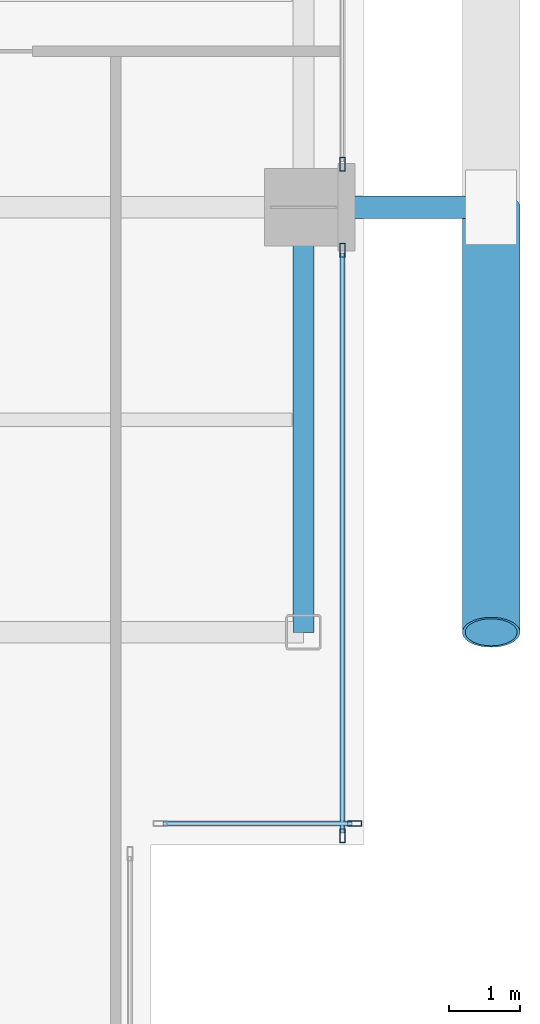
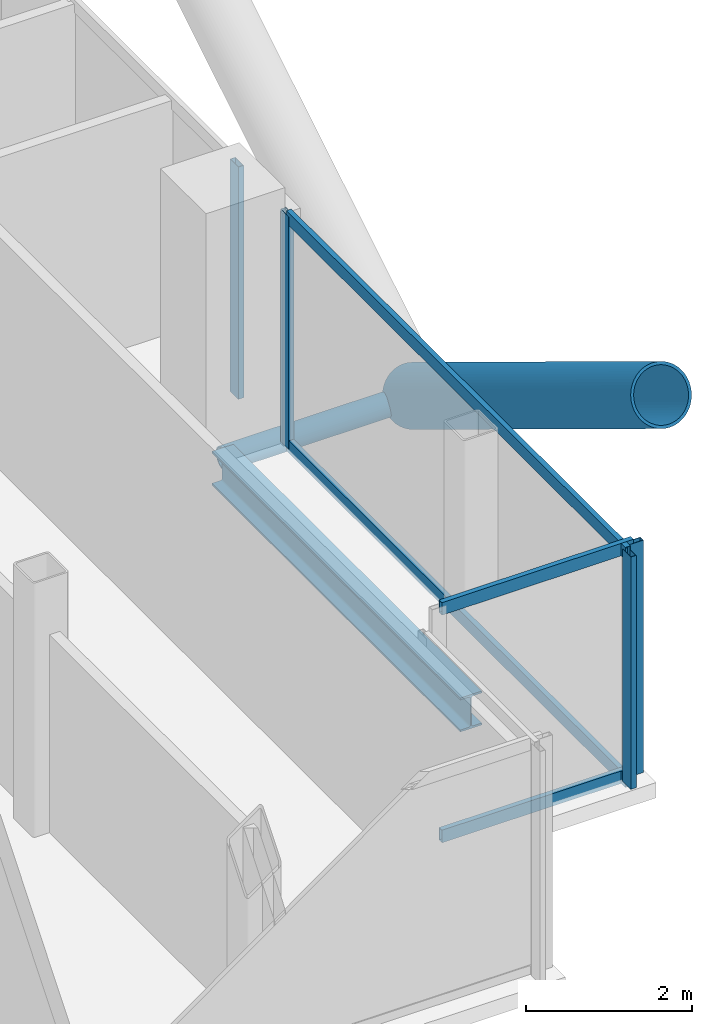
# One storey, part 11 of 24: 10 members, 1 beam, 3 elements without a shape of their own.
"""IFC4 building model written with IfcOpenShell, lengths in metres."""

from ifc_helpers import new_model, si_unit, direction, frame, origin, origin_2d, place, context, subcontext, project, spatial, hollow_rectangle, hollow_circle, i_section, extrude, material, layer, layer_set, material_profile, profile_set, type_object, element, aggregate, save


model = new_model("IFC4")

# Units and contexts
model_context = context("Model", 3, precision=1e-05, world=origin(), true_north=direction((0.0, 1.0)))
body_context = subcontext(model_context, "Body", "Model", "MODEL_VIEW")
ifc_project = project(units=[si_unit("LENGTHUNIT", "METRE"), si_unit("AREAUNIT", "SQUARE_METRE"), si_unit("VOLUMEUNIT", "CUBIC_METRE"), si_unit("PLANEANGLEUNIT", "RADIAN"), si_unit("MASSUNIT", "GRAM", prefix="KILO"), si_unit("THERMODYNAMICTEMPERATUREUNIT", "KELVIN"), si_unit("POWERUNIT", "WATT")], contexts=[model_context])

# Site, building, storey
site_placement = place(None, origin())
site = spatial("IfcSite", under=ifc_project, at=site_placement, CompositionType="ELEMENT")
building_placement = place(site_placement, origin())
building = spatial("IfcBuilding", under=site, at=building_placement, Name="Svarakhadi Broadcast Tower", CompositionType="ELEMENT")
storey_placement = place(building_placement, frame((0.0, 0.0, 160.64990234375)))
storey = spatial("IfcBuildingStorey", under=building, at=storey_placement, Name="L39", CompositionType="ELEMENT", Elevation=160.64990234375)

# Curtain wall, member
ifc_material_1 = material(Name="Anodised Bronze Aluminium AA 6063-T6", Category="aluminium")
ifc_layer = layer(ifc_material_1, 0.199951171875)
ifc_layer_set = layer_set([ifc_layer], Name="Anodised Bronze Aluminium AA 6063-T6")
curtain_wall_type = type_object("IfcCurtainWallType", Name="CW_Sys_03", PredefinedType="NOTDEFINED", material=ifc_layer_set)
curtain_wall_1_placement = place(storey_placement, origin())
curtain_wall_1 = element("IfcCurtainWall", 1, at=curtain_wall_1_placement, inside=storey, type_object=curtain_wall_type, Name="L39 Unitised Facade Curtain Wall 13 Bay 1", PredefinedType="NOTDEFINED")
ifc_material_profile_1 = material_profile(ifc_material_1, hollow_rectangle(XDim=0.074951171875, YDim=0.199951171875, WallThickness=0.005615234375, at=origin_2d()), Name="ALU MULLION 200x75x6")
ifc_profile_set_1 = profile_set([ifc_material_profile_1], Name="Anodised Bronze Aluminium AA 6063-T6")
member_type_1 = type_object("IfcMemberType", Name="CW_Sys_03_Mul", PredefinedType="MULLION", material=ifc_profile_set_1)
member_1_placement = place(storey_placement, frame((47.699951171875, 12.607421875, 0.0), z_axis=(0.0, 0.0, 1.0), x_axis=(1.0, 0.0, 0.0)))
member_1 = element("IfcMember", 2, at=member_1_placement, type_object=member_type_1, Name="CW-03 mullion 2", PredefinedType="MULLION", context=body_context, shape_type="SweptSolid", body=[
    extrude(hollow_rectangle(XDim=0.074951171875, YDim=0.199951171875, WallThickness=0.005615234375, at=origin_2d()), origin(), (0.0, 0.0, 1.0), 3.425048828125),
])
aggregate(curtain_wall_1, [member_1])

# Curtain wall, members
curtain_wall_2_placement = place(storey_placement, origin())
curtain_wall_2 = element("IfcCurtainWall", 3, at=curtain_wall_2_placement, inside=storey, type_object=curtain_wall_type, Name="L39 Unitised Facade Curtain Wall 13 Bay 2", PredefinedType="NOTDEFINED")
member_2_placement = place(storey_placement, frame((47.699951171875, 11.392578125, 0.0), z_axis=(0.0, 0.0, 1.0), x_axis=(1.0, 0.0, 0.0)))
member_2 = element("IfcMember", 4, at=member_2_placement, type_object=member_type_1, Name="CW-03 mullion 1", PredefinedType="MULLION", context=body_context, shape_type="SweptSolid", body=[
    extrude(hollow_rectangle(XDim=0.074951171875, YDim=0.199951171875, WallThickness=0.005615234375, at=origin_2d()), origin(), (0.0, 0.0, 1.0), 3.425048828125),
])
member_3_placement = place(storey_placement, frame((47.699951171875, 3.12744140625, 0.0), z_axis=(0.0, 0.0, 1.0), x_axis=(1.0, 0.0, 0.0)))
member_3 = element("IfcMember", 5, at=member_3_placement, type_object=member_type_1, Name="CW-03 mullion 2", PredefinedType="MULLION", context=body_context, shape_type="SweptSolid", body=[
    extrude(hollow_rectangle(XDim=0.074951171875, YDim=0.199951171875, WallThickness=0.005615234375, at=origin_2d()), origin(), (0.0, 0.0, 1.0), 3.425048828125),
])

# Curtain wall, member
curtain_wall_3_placement = place(storey_placement, origin())
curtain_wall_3 = element("IfcCurtainWall", 6, at=curtain_wall_3_placement, inside=storey, type_object=curtain_wall_type, Name="L39 Unitised Facade Curtain Wall 14", PredefinedType="NOTDEFINED")
member_4_placement = place(storey_placement, frame((47.87255859375, 3.300048828125, 0.0), z_axis=(0.0, 0.0, 1.0), x_axis=(0.0, -1.0, 0.0)))
member_4 = element("IfcMember", 7, at=member_4_placement, type_object=member_type_1, Name="CW-03 mullion 1", PredefinedType="MULLION", context=body_context, shape_type="SweptSolid", body=[
    extrude(hollow_rectangle(XDim=0.074951171875, YDim=0.199951171875, WallThickness=0.005615234375, at=origin_2d()), origin(), (0.0, 0.0, 1.0), 3.425048828125),
])

# Member
ifc_material_profile_2 = material_profile(ifc_material_1, hollow_rectangle(XDim=0.070068359375, YDim=0.18505859375, WallThickness=0.0048828125, at=origin_2d()), Name="ALU TRANSOM 185x70x5")
ifc_profile_set_2 = profile_set([ifc_material_profile_2], Name="Anodised Bronze Aluminium AA 6063-T6")
member_type_2 = type_object("IfcMemberType", Name="CW_Sys_03_Trn", PredefinedType="USERDEFINED", material=ifc_profile_set_2)
member_5_placement = place(storey_placement, frame((47.699951171875, 11.35498046875, 0.03515625), z_axis=(0.0, -1.0, 0.0), x_axis=(1.0, 0.0, 0.0)))
member_5 = element("IfcMember", 8, at=member_5_placement, type_object=member_type_2, Name="CW-03 transom 1.1", ObjectType="TRANSOM", PredefinedType="USERDEFINED", context=body_context, shape_type="SweptSolid", body=[
    extrude(hollow_rectangle(XDim=0.070068359375, YDim=0.18505859375, WallThickness=0.0048828125, at=origin_2d()), origin(), (0.0, 0.0, 1.0), 8.18994140625),
])

member_6_placement = place(storey_placement, frame((47.699951171875, 11.35498046875, 3.39013671875), z_axis=(0.0, -1.0, 0.0), x_axis=(1.0, 0.0, 0.0)))
member_6 = element("IfcMember", 9, at=member_6_placement, type_object=member_type_2, Name="CW-03 transom 1.2", ObjectType="TRANSOM", PredefinedType="USERDEFINED", context=body_context, shape_type="SweptSolid", body=[
    extrude(hollow_rectangle(XDim=0.070068359375, YDim=0.18505859375, WallThickness=0.0048828125, at=origin_2d()), origin(), (0.0, 0.0, 1.0), 8.18994140625),
])

aggregate(curtain_wall_2, [member_2, member_3, member_5, member_6])

member_7_placement = place(storey_placement, frame((47.8349609375, 3.300048828125, 0.03515625), z_axis=(-1.0, 0.0, 0.0), x_axis=(0.0, -1.0, 0.0)))
member_7 = element("IfcMember", 10, at=member_7_placement, type_object=member_type_2, Name="CW-03 transom 1.1", ObjectType="TRANSOM", PredefinedType="USERDEFINED", context=body_context, shape_type="SweptSolid", body=[
    extrude(hollow_rectangle(XDim=0.070068359375, YDim=0.18505859375, WallThickness=0.0048828125, at=origin_2d()), origin(), (0.0, 0.0, 1.0), 2.669921875),
])

member_8_placement = place(storey_placement, frame((47.8349609375, 3.300048828125, 3.39013671875), z_axis=(-1.0, 0.0, 0.0), x_axis=(0.0, -1.0, 0.0)))
member_8 = element("IfcMember", 11, at=member_8_placement, type_object=member_type_2, Name="CW-03 transom 1.2", ObjectType="TRANSOM", PredefinedType="USERDEFINED", context=body_context, shape_type="SweptSolid", body=[
    extrude(hollow_rectangle(XDim=0.070068359375, YDim=0.18505859375, WallThickness=0.0048828125, at=origin_2d()), origin(), (0.0, 0.0, 1.0), 2.669921875),
])

aggregate(curtain_wall_3, [member_4, member_7, member_8])

# Members
ifc_material_2 = material(Name="Steel S460ML (IS 2062 E450BR)", Category="steel")
ifc_material_profile_3 = material_profile(ifc_material_2, hollow_circle(Radius=0.406494140625, WallThickness=0.0400390625, at=origin_2d()), Name="CHS 813x40")
ifc_profile_set_3 = profile_set([ifc_material_profile_3], Name="Steel S460ML (IS 2062 E450BR)")
member_type_3 = type_object("IfcMemberType", Name="Exo_Brace_CHS813", PredefinedType="BRACE", material=ifc_profile_set_3)
member_9_placement = place(storey_placement, frame((49.800048828125, 12.0, -0.386962890625), z_axis=(0.0, -0.854326743865, 0.519736293438), x_axis=(1.0, 0.0, 0.0)))
element("IfcMember", 12, at=member_9_placement, inside=storey, type_object=member_type_3, Name="L39 Exposed Bronze Exoskeleton Diagonal E06", PredefinedType="BRACE", context=body_context, shape_type="SweptSolid", body=[
    extrude(hollow_circle(Radius=0.406494140625, WallThickness=0.0400390625, at=origin_2d()), origin(), (0.0, 0.0, 1.0), 7.023193359375),
])
ifc_material_profile_4 = material_profile(ifc_material_2, hollow_circle(Radius=0.161865234375, WallThickness=0.01611328125, at=origin_2d()), Name="CHS 323.9x16")
ifc_profile_set_4 = profile_set([ifc_material_profile_4], Name="Steel S460ML (IS 2062 E450BR)")
member_type_4 = type_object("IfcMemberType", Name="Exo_Radial_Strut_Z2", PredefinedType="STRUT", material=ifc_profile_set_4)
member_10_placement = place(storey_placement, frame((49.800048828125, 12.0, -0.386962890625), z_axis=(-1.0, 0.0, 0.0), x_axis=(0.0, -1.0, 0.0)))
element("IfcMember", 13, at=member_10_placement, inside=storey, type_object=member_type_4, Name="L39 Exoskeleton Radial Tie Strut E05", PredefinedType="STRUT", context=body_context, shape_type="SweptSolid", body=[
    extrude(hollow_circle(Radius=0.161865234375, WallThickness=0.01611328125, at=origin_2d()), origin(), (0.0, 0.0, 1.0), 2.650146484375),
])

# Beam
ifc_material_3 = material(Name="Steel S355J2 (IS 2062 E350C)", Category="steel")
ifc_material_profile_5 = material_profile(ifc_material_3, i_section(OverallWidth=0.300048828125, OverallDepth=0.5, WebThickness=0.014404296875, FlangeThickness=0.028076171875, FilletRadius=0.027099609375, at=origin_2d()), Name="WPB 500x300x187")
ifc_profile_set_5 = profile_set([ifc_material_profile_5], Name="Steel S355J2 (IS 2062 E350C)")
beam_type = type_object("IfcBeamType", Name="Girder_WPB500", PredefinedType="USERDEFINED", material=ifc_profile_set_5)
beam_placement = place(storey_placement, frame((47.14990234375, 6.0, -0.474853515625), z_axis=(0.0, 1.0, 0.0), x_axis=(-1.0, 0.0, 0.0)))
element("IfcBeam", 14, at=beam_placement, inside=storey, type_object=beam_type, Name="L39 Primary N-S Girder G073", ObjectType="GIRDER", PredefinedType="USERDEFINED", context=body_context, shape_type="SweptSolid", body=[
    extrude(i_section(OverallWidth=0.300048828125, OverallDepth=0.5, WebThickness=0.014404296875, FlangeThickness=0.028076171875, FilletRadius=0.027099609375, at=origin_2d()), origin(), (0.0, 0.0, 1.0), 6.0),
])

save(model, "model.ifc")
